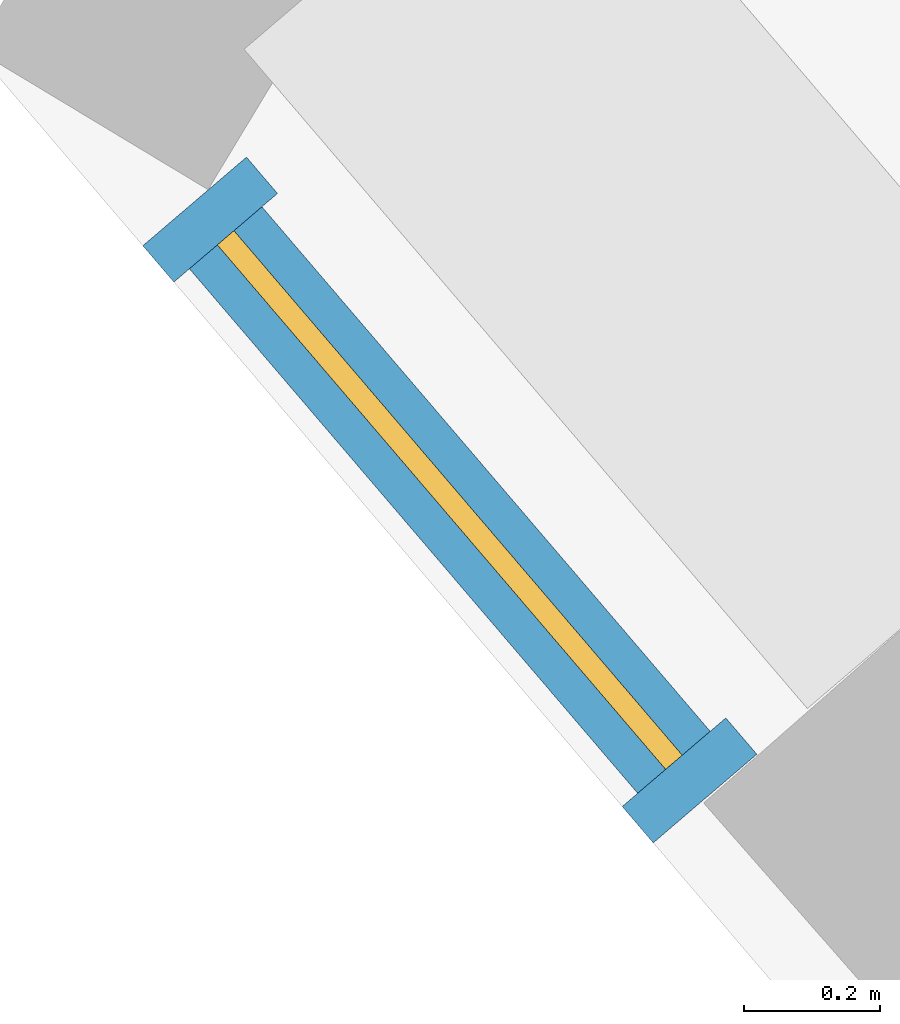
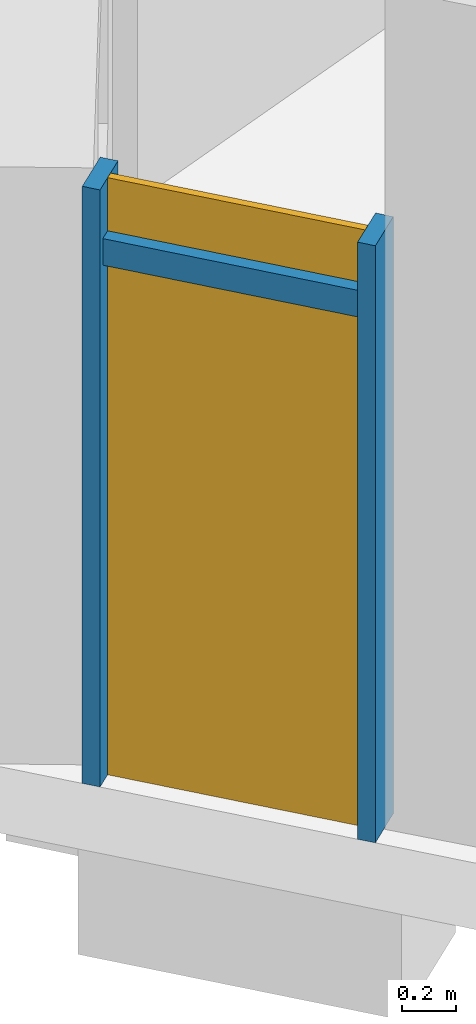
# One storey, part 18 of 28: 3 members, 1 curtain wall.
"""IFC4 building model written with IfcOpenShell, lengths in metres."""

from ifc_helpers import new_model, si_unit, direction, frame, origin, origin_2d, place, context, subcontext, project, spatial, rectangle, extrude, material, material_profile, profile_set, type_object, element, aggregate, save


model = new_model("IFC4")

# Units and contexts
model_context = context("Model", 3, precision=1e-05, world=origin(), true_north=direction((0.0, 1.0)))
body_context = subcontext(model_context, "Body", "Model", "MODEL_VIEW")
ifc_project = project(units=[si_unit("LENGTHUNIT", "METRE"), si_unit("AREAUNIT", "SQUARE_METRE"), si_unit("VOLUMEUNIT", "CUBIC_METRE"), si_unit("PLANEANGLEUNIT", "RADIAN"), si_unit("MASSUNIT", "GRAM", prefix="KILO")], contexts=[model_context])

# Member
ifc_material = material(Name="Aluminium 6063-T6 anodised", Category="aluminium")
ifc_material_profile_1 = material_profile(ifc_material, rectangle(XDim=0.199951171875, YDim=0.070068359375, at=origin_2d()))
ifc_profile_set_1 = profile_set([ifc_material_profile_1], Name="Aluminium 6063-T6 anodised")
member_type_1 = type_object("IfcMemberType", Name="Mullion 70 x 200 aluminium", PredefinedType="MULLION", material=ifc_profile_set_1)
site_placement = place(None, origin())
building_placement = place(site_placement, origin())
storey_placement = place(building_placement, frame((0.0, 0.0, 265.699951171875)))
member_1_placement = place(storey_placement, frame((-59.851806640625, -50.400146484375, 0.0), z_axis=(0.0, 0.0, 1.0), x_axis=(0.760138256011, 0.649761365233, 0.0)))
member_1 = element("IfcMember", 1, at=member_1_placement, type_object=member_type_1, Name="e-cw1-L64-out00/M00", PredefinedType="MULLION", context=body_context, shape_type="SweptSolid", body=[
    extrude(rectangle(XDim=0.199951171875, YDim=0.070068359375, at=origin_2d()), origin(), (0.0, 0.0, 1.0), 2.699951171875),
])

member_2_placement = place(storey_placement, frame((-59.14892578125, -51.222412109375, 0.0), z_axis=(0.0, 0.0, 1.0), x_axis=(0.760138256011, 0.649761365233, 0.0)))
member_2 = element("IfcMember", 2, at=member_2_placement, type_object=member_type_1, Name="e-cw1-L64-out00/M01", PredefinedType="MULLION", context=body_context, shape_type="SweptSolid", body=[
    extrude(rectangle(XDim=0.199951171875, YDim=0.070068359375, at=origin_2d()), origin(), (0.0, 0.0, 1.0), 2.699951171875),
])

ifc_material_profile_2 = material_profile(ifc_material, rectangle(XDim=0.139892578125, YDim=0.1201171875, at=origin_2d()))
ifc_profile_set_2 = profile_set([ifc_material_profile_2], Name="Aluminium 6063-T6 anodised")
member_type_2 = type_object("IfcMemberType", Name="Transom 120 x 140 aluminium", PredefinedType="USERDEFINED", material=ifc_profile_set_2)
member_3_placement = place(storey_placement, frame((-59.8291015625, -50.4267578125, 2.400146484375), z_axis=(0.649677687374, -0.760209775344, 0.0), x_axis=(0.760209775344, 0.649677687374, 0.0)))
member_3 = element("IfcMember", 3, at=member_3_placement, type_object=member_type_2, Name="e-cw1-L64-out00/T00", ObjectType="TRANSOM", PredefinedType="USERDEFINED", context=body_context, shape_type="SweptSolid", body=[
    extrude(rectangle(XDim=0.139892578125, YDim=0.1201171875, at=origin_2d()), origin(), (0.0, 0.0, 1.0), 1.01171875),
])

# Site, building, storey
site = spatial("IfcSite", under=ifc_project, at=site_placement, CompositionType="ELEMENT")
building = spatial("IfcBuilding", under=site, at=building_placement, Name="Qamariyya Broadcast Tower", CompositionType="ELEMENT")
storey = spatial("IfcBuildingStorey", under=building, at=storey_placement, Name="L64", CompositionType="ELEMENT", Elevation=265.699951171875)

# Curtain wall
curtain_wall_type = type_object("IfcCurtainWallType", Name="Unitised curtain wall, anodised aluminium", PredefinedType="NOTDEFINED", material=ifc_material)
curtain_wall_placement = place(storey_placement, origin())
curtain_wall = element("IfcCurtainWall", 4, at=curtain_wall_placement, inside=storey, type_object=curtain_wall_type, Name="e-cw1-L64-out00", PredefinedType="NOTDEFINED", context=body_context, shape_type="SweptSolid", body=[
    extrude(rectangle(XDim=1.01171875, YDim=0.031982421875, at=origin_2d()), frame((-59.50048828125, -50.811279296875, 0.0), x_axis=(0.649725833893, -0.760168626538, 0.0)), (0.0, 0.0, 1.0), 2.340087890625),
    extrude(rectangle(XDim=1.01171875, YDim=0.031982421875, at=origin_2d()), frame((-59.50048828125, -50.811279296875, 2.4599609375), x_axis=(0.649725833893, -0.760168626538, 0.0)), (0.0, 0.0, 1.0), 0.239990234375),
])

aggregate(curtain_wall, [member_1, member_2, member_3])

save(model, "model.ifc")
